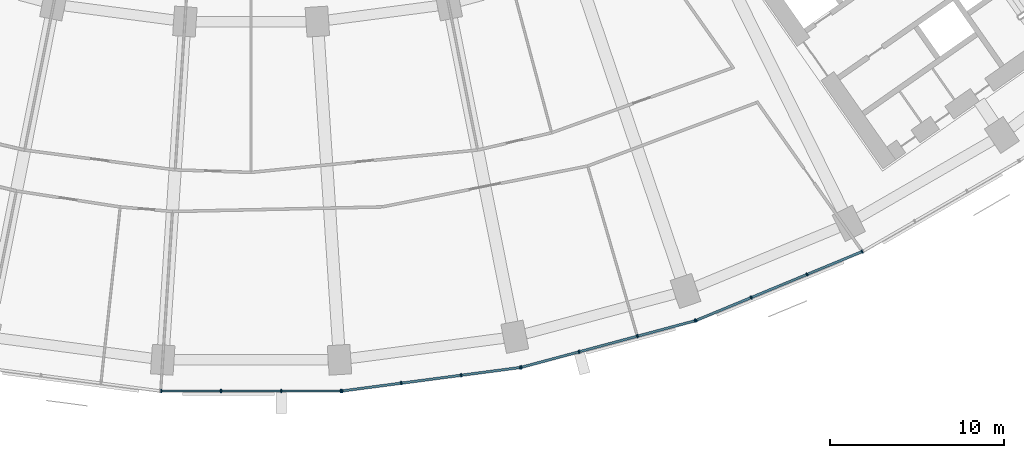
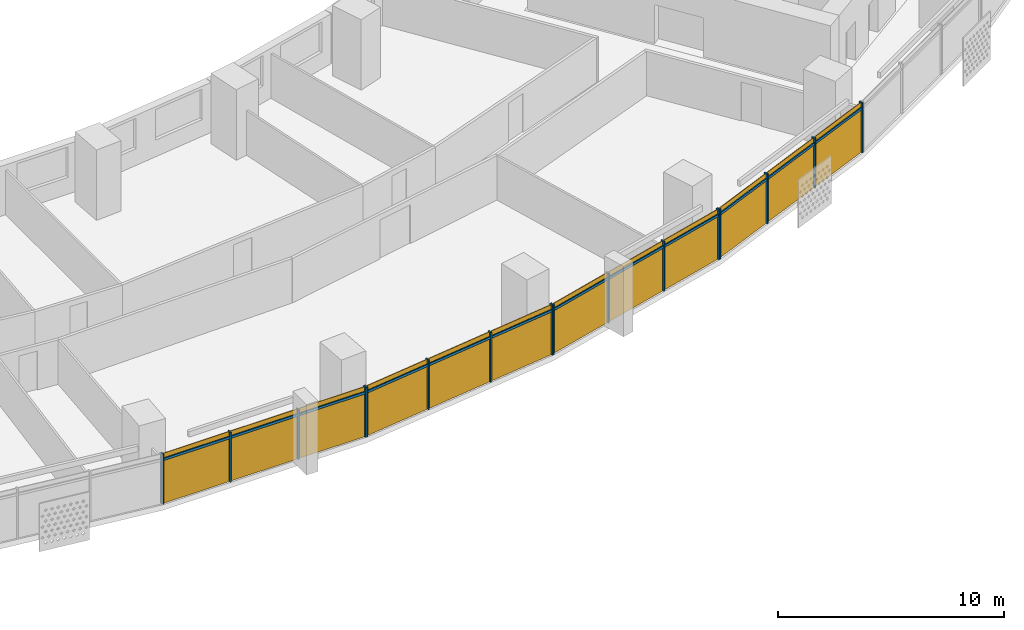
# One storey, part 21 of 29: 28 members, 4 curtain walls.
"""IFC4 building model written with IfcOpenShell, lengths in metres."""

from ifc_helpers import new_model, si_unit, direction, frame, origin, origin_2d, place, context, subcontext, project, spatial, rectangle, extrude, material, material_profile, profile_set, type_object, element, aggregate, save


model = new_model("IFC4")

# Units and contexts
model_context = context("Model", 3, precision=1e-05, world=origin(), true_north=direction((0.0, 1.0)))
body_context = subcontext(model_context, "Body", "Model", "MODEL_VIEW")
ifc_project = project(units=[si_unit("LENGTHUNIT", "METRE"), si_unit("AREAUNIT", "SQUARE_METRE"), si_unit("VOLUMEUNIT", "CUBIC_METRE"), si_unit("PLANEANGLEUNIT", "RADIAN"), si_unit("MASSUNIT", "GRAM", prefix="KILO")], contexts=[model_context])

# Member
ifc_material = material(Name="Aluminium 6063-T6 anodised", Category="aluminium")
ifc_material_profile_1 = material_profile(ifc_material, rectangle(XDim=0.199951171875, YDim=0.070068359375, at=origin_2d()))
ifc_profile_set_1 = profile_set([ifc_material_profile_1], Name="Aluminium 6063-T6 anodised")
member_type_1 = type_object("IfcMemberType", Name="Mullion 70 x 200 aluminium", PredefinedType="MULLION", material=ifc_profile_set_1)
site_placement = place(None, origin())
building_placement = place(site_placement, origin())
storey_placement = place(building_placement, frame((0.0, 0.0, 44.300048828125)))
member_1_placement = place(storey_placement, frame((-5.17431640625, -79.37939453125, 0.0), z_axis=(0.0, 0.0, 1.0), x_axis=(0.0, 1.0, 0.0)))
member_1 = element("IfcMember", 1, at=member_1_placement, type_object=member_type_1, Name="e-cw1-L07-out08/M00", PredefinedType="MULLION", context=body_context, shape_type="SweptSolid", body=[
    extrude(rectangle(XDim=0.199951171875, YDim=0.070068359375, at=origin_2d()), origin(), (0.0, 0.0, 1.0), 2.699951171875),
])

member_2_placement = place(storey_placement, frame((-1.736572265625, -79.37939453125, 0.0), z_axis=(0.0, 0.0, 1.0), x_axis=(0.0, 1.0, 0.0)))
member_2 = element("IfcMember", 2, at=member_2_placement, type_object=member_type_1, Name="e-cw1-L07-out08/M01", PredefinedType="MULLION", context=body_context, shape_type="SweptSolid", body=[
    extrude(rectangle(XDim=0.199951171875, YDim=0.070068359375, at=origin_2d()), origin(), (0.0, 0.0, 1.0), 2.699951171875),
])

member_3_placement = place(storey_placement, frame((1.736572265625, -79.37939453125, 0.0), z_axis=(0.0, 0.0, 1.0), x_axis=(0.0, 1.0, 0.0)))
member_3 = element("IfcMember", 3, at=member_3_placement, type_object=member_type_1, Name="e-cw1-L07-out08/M02", PredefinedType="MULLION", context=body_context, shape_type="SweptSolid", body=[
    extrude(rectangle(XDim=0.199951171875, YDim=0.070068359375, at=origin_2d()), origin(), (0.0, 0.0, 1.0), 2.699951171875),
])

member_4_placement = place(storey_placement, frame((5.17431640625, -79.37939453125, 0.0), z_axis=(0.0, 0.0, 1.0), x_axis=(0.0, 1.0, 0.0)))
member_4 = element("IfcMember", 4, at=member_4_placement, type_object=member_type_1, Name="e-cw1-L07-out08/M03", PredefinedType="MULLION", context=body_context, shape_type="SweptSolid", body=[
    extrude(rectangle(XDim=0.199951171875, YDim=0.070068359375, at=origin_2d()), origin(), (0.0, 0.0, 1.0), 2.699951171875),
])

member_5_placement = place(storey_placement, frame((5.23095703125, -79.375732421875, 0.0), z_axis=(0.0, 0.0, 1.0), x_axis=(-0.13052619222, 0.991444861374, 0.0)))
member_5 = element("IfcMember", 5, at=member_5_placement, type_object=member_type_1, Name="e-cw1-L07-out09/M00", PredefinedType="MULLION", context=body_context, shape_type="SweptSolid", body=[
    extrude(rectangle(XDim=0.199951171875, YDim=0.070068359375, at=origin_2d()), origin(), (0.0, 0.0, 1.0), 2.699951171875),
])

member_6_placement = place(storey_placement, frame((8.639404296875, -78.927001953125, 0.0), z_axis=(0.0, 0.0, 1.0), x_axis=(-0.13052619222, 0.991444861374, 0.0)))
member_6 = element("IfcMember", 6, at=member_6_placement, type_object=member_type_1, Name="e-cw1-L07-out09/M01", PredefinedType="MULLION", context=body_context, shape_type="SweptSolid", body=[
    extrude(rectangle(XDim=0.199951171875, YDim=0.070068359375, at=origin_2d()), origin(), (0.0, 0.0, 1.0), 2.699951171875),
])

member_7_placement = place(storey_placement, frame((12.082763671875, -78.4736328125, 0.0), z_axis=(0.0, 0.0, 1.0), x_axis=(-0.13052619222, 0.991444861374, 0.0)))
member_7 = element("IfcMember", 7, at=member_7_placement, type_object=member_type_1, Name="e-cw1-L07-out09/M02", PredefinedType="MULLION", context=body_context, shape_type="SweptSolid", body=[
    extrude(rectangle(XDim=0.199951171875, YDim=0.070068359375, at=origin_2d()), origin(), (0.0, 0.0, 1.0), 2.699951171875),
])

member_8_placement = place(storey_placement, frame((15.4912109375, -78.02490234375, 0.0), z_axis=(0.0, 0.0, 1.0), x_axis=(-0.13052619222, 0.991444861374, 0.0)))
member_8 = element("IfcMember", 8, at=member_8_placement, type_object=member_type_1, Name="e-cw1-L07-out09/M03", PredefinedType="MULLION", context=body_context, shape_type="SweptSolid", body=[
    extrude(rectangle(XDim=0.199951171875, YDim=0.070068359375, at=origin_2d()), origin(), (0.0, 0.0, 1.0), 2.699951171875),
])

member_9_placement = place(storey_placement, frame((15.546875, -78.013916015625, 0.0), z_axis=(0.0, 0.0, 1.0), x_axis=(-0.258819045103, 0.965925826289, 0.0)))
member_9 = element("IfcMember", 9, at=member_9_placement, type_object=member_type_1, Name="e-cw1-L07-out10/M00", PredefinedType="MULLION", context=body_context, shape_type="SweptSolid", body=[
    extrude(rectangle(XDim=0.199951171875, YDim=0.070068359375, at=origin_2d()), origin(), (0.0, 0.0, 1.0), 2.699951171875),
])

member_10_placement = place(storey_placement, frame((18.86767578125, -77.1240234375, 0.0), z_axis=(0.0, 0.0, 1.0), x_axis=(-0.258819045103, 0.965925826289, 0.0)))
member_10 = element("IfcMember", 10, at=member_10_placement, type_object=member_type_1, Name="e-cw1-L07-out10/M01", PredefinedType="MULLION", context=body_context, shape_type="SweptSolid", body=[
    extrude(rectangle(XDim=0.199951171875, YDim=0.070068359375, at=origin_2d()), origin(), (0.0, 0.0, 1.0), 2.699951171875),
])

member_11_placement = place(storey_placement, frame((22.22216796875, -76.225341796875, 0.0), z_axis=(0.0, 0.0, 1.0), x_axis=(-0.258819045103, 0.965925826289, 0.0)))
member_11 = element("IfcMember", 11, at=member_11_placement, type_object=member_type_1, Name="e-cw1-L07-out10/M02", PredefinedType="MULLION", context=body_context, shape_type="SweptSolid", body=[
    extrude(rectangle(XDim=0.199951171875, YDim=0.070068359375, at=origin_2d()), origin(), (0.0, 0.0, 1.0), 2.699951171875),
])

member_12_placement = place(storey_placement, frame((25.54296875, -75.33544921875, 0.0), z_axis=(0.0, 0.0, 1.0), x_axis=(-0.258819045103, 0.965925826289, 0.0)))
member_12 = element("IfcMember", 12, at=member_12_placement, type_object=member_type_1, Name="e-cw1-L07-out10/M03", PredefinedType="MULLION", context=body_context, shape_type="SweptSolid", body=[
    extrude(rectangle(XDim=0.199951171875, YDim=0.070068359375, at=origin_2d()), origin(), (0.0, 0.0, 1.0), 2.699951171875),
])

member_13_placement = place(storey_placement, frame((25.5966796875, -75.317138671875, 0.0), z_axis=(0.0, 0.0, 1.0), x_axis=(-0.382683432365, 0.923879532511, 0.0)))
member_13 = element("IfcMember", 13, at=member_13_placement, type_object=member_type_1, Name="e-cw1-L07-out11/M00", PredefinedType="MULLION", context=body_context, shape_type="SweptSolid", body=[
    extrude(rectangle(XDim=0.199951171875, YDim=0.070068359375, at=origin_2d()), origin(), (0.0, 0.0, 1.0), 2.699951171875),
])

member_14_placement = place(storey_placement, frame((28.77294921875, -74.00146484375, 0.0), z_axis=(0.0, 0.0, 1.0), x_axis=(-0.382683432365, 0.923879532511, 0.0)))
member_14 = element("IfcMember", 14, at=member_14_placement, type_object=member_type_1, Name="e-cw1-L07-out11/M01", PredefinedType="MULLION", context=body_context, shape_type="SweptSolid", body=[
    extrude(rectangle(XDim=0.199951171875, YDim=0.070068359375, at=origin_2d()), origin(), (0.0, 0.0, 1.0), 2.699951171875),
])

member_15_placement = place(storey_placement, frame((31.9814453125, -72.672607421875, 0.0), z_axis=(0.0, 0.0, 1.0), x_axis=(-0.382683432365, 0.923879532511, 0.0)))
member_15 = element("IfcMember", 15, at=member_15_placement, type_object=member_type_1, Name="e-cw1-L07-out11/M02", PredefinedType="MULLION", context=body_context, shape_type="SweptSolid", body=[
    extrude(rectangle(XDim=0.199951171875, YDim=0.070068359375, at=origin_2d()), origin(), (0.0, 0.0, 1.0), 2.699951171875),
])

member_16_placement = place(storey_placement, frame((35.15771484375, -71.35693359375, 0.0), z_axis=(0.0, 0.0, 1.0), x_axis=(-0.382683432365, 0.923879532511, 0.0)))
member_16 = element("IfcMember", 16, at=member_16_placement, type_object=member_type_1, Name="e-cw1-L07-out11/M03", PredefinedType="MULLION", context=body_context, shape_type="SweptSolid", body=[
    extrude(rectangle(XDim=0.199951171875, YDim=0.070068359375, at=origin_2d()), origin(), (0.0, 0.0, 1.0), 2.699951171875),
])

ifc_material_profile_2 = material_profile(ifc_material, rectangle(XDim=0.139892578125, YDim=0.1201171875, at=origin_2d()))
ifc_profile_set_2 = profile_set([ifc_material_profile_2], Name="Aluminium 6063-T6 anodised")
member_type_2 = type_object("IfcMemberType", Name="Transom 120 x 140 aluminium", PredefinedType="USERDEFINED", material=ifc_profile_set_2)
member_17_placement = place(storey_placement, frame((-5.139404296875, -79.37939453125, 2.39990234375), z_axis=(1.0, 0.0, 0.0), x_axis=(0.0, 1.0, 0.0)))
member_17 = element("IfcMember", 17, at=member_17_placement, type_object=member_type_2, Name="e-cw1-L07-out08/T00", ObjectType="TRANSOM", PredefinedType="USERDEFINED", context=body_context, shape_type="SweptSolid", body=[
    extrude(rectangle(XDim=0.139892578125, YDim=0.1201171875, at=origin_2d()), origin(), (0.0, 0.0, 1.0), 3.367919921875),
])

member_18_placement = place(storey_placement, frame((-1.701416015625, -79.37939453125, 2.39990234375), z_axis=(1.0, 0.0, 0.0), x_axis=(0.0, 1.0, 0.0)))
member_18 = element("IfcMember", 18, at=member_18_placement, type_object=member_type_2, Name="e-cw1-L07-out08/T01", ObjectType="TRANSOM", PredefinedType="USERDEFINED", context=body_context, shape_type="SweptSolid", body=[
    extrude(rectangle(XDim=0.139892578125, YDim=0.1201171875, at=origin_2d()), origin(), (0.0, 0.0, 1.0), 3.40283203125),
])

member_19_placement = place(storey_placement, frame((1.771484375, -79.37939453125, 2.39990234375), z_axis=(1.0, 0.0, 0.0), x_axis=(0.0, 1.0, 0.0)))
member_19 = element("IfcMember", 19, at=member_19_placement, type_object=member_type_2, Name="e-cw1-L07-out08/T02", ObjectType="TRANSOM", PredefinedType="USERDEFINED", context=body_context, shape_type="SweptSolid", body=[
    extrude(rectangle(XDim=0.139892578125, YDim=0.1201171875, at=origin_2d()), origin(), (0.0, 0.0, 1.0), 3.367919921875),
])

member_20_placement = place(storey_placement, frame((5.265625, -79.37109375, 2.39990234375), z_axis=(0.991450594138, 0.130482640159, 0.0), x_axis=(-0.130482640159, 0.991450594138, 0.0)))
member_20 = element("IfcMember", 20, at=member_20_placement, type_object=member_type_2, Name="e-cw1-L07-out09/T00", ObjectType="TRANSOM", PredefinedType="USERDEFINED", context=body_context, shape_type="SweptSolid", body=[
    extrude(rectangle(XDim=0.139892578125, YDim=0.1201171875, at=origin_2d()), origin(), (0.0, 0.0, 1.0), 3.367919921875),
])

member_21_placement = place(storey_placement, frame((8.67431640625, -78.92236328125, 2.39990234375), z_axis=(0.991447700941, 0.130504621753, 0.0), x_axis=(-0.130504621753, 0.991447700941, 0.0)))
member_21 = element("IfcMember", 21, at=member_21_placement, type_object=member_type_2, Name="e-cw1-L07-out09/T01", ObjectType="TRANSOM", PredefinedType="USERDEFINED", context=body_context, shape_type="SweptSolid", body=[
    extrude(rectangle(XDim=0.139892578125, YDim=0.1201171875, at=origin_2d()), origin(), (0.0, 0.0, 1.0), 3.40283203125),
])

member_22_placement = place(storey_placement, frame((12.117431640625, -78.46923828125, 2.39990234375), z_axis=(0.9914412138, 0.130553895303, 0.0), x_axis=(-0.130553895303, 0.9914412138, 0.0)))
member_22 = element("IfcMember", 22, at=member_22_placement, type_object=member_type_2, Name="e-cw1-L07-out09/T02", ObjectType="TRANSOM", PredefinedType="USERDEFINED", context=body_context, shape_type="SweptSolid", body=[
    extrude(rectangle(XDim=0.139892578125, YDim=0.1201171875, at=origin_2d()), origin(), (0.0, 0.0, 1.0), 3.367919921875),
])

member_23_placement = place(storey_placement, frame((15.58056640625, -78.0048828125, 2.39990234375), z_axis=(0.965915368772, 0.258858069935, 0.0), x_axis=(-0.258858069935, 0.965915368772, 0.0)))
member_23 = element("IfcMember", 23, at=member_23_placement, type_object=member_type_2, Name="e-cw1-L07-out10/T00", ObjectType="TRANSOM", PredefinedType="USERDEFINED", context=body_context, shape_type="SweptSolid", body=[
    extrude(rectangle(XDim=0.139892578125, YDim=0.1201171875, at=origin_2d()), origin(), (0.0, 0.0, 1.0), 3.367919921875),
])

member_24_placement = place(storey_placement, frame((18.9013671875, -77.114990234375, 2.39990234375), z_axis=(0.965937804901, 0.258774336176, 0.0), x_axis=(-0.258774336176, 0.965937804901, 0.0)))
member_24 = element("IfcMember", 24, at=member_24_placement, type_object=member_type_2, Name="e-cw1-L07-out10/T01", ObjectType="TRANSOM", PredefinedType="USERDEFINED", context=body_context, shape_type="SweptSolid", body=[
    extrude(rectangle(XDim=0.139892578125, YDim=0.1201171875, at=origin_2d()), origin(), (0.0, 0.0, 1.0), 3.403076171875),
])

member_25_placement = place(storey_placement, frame((22.256103515625, -76.21630859375, 2.39990234375), z_axis=(0.965915368772, 0.258858069935, 0.0), x_axis=(-0.258858069935, 0.965915368772, 0.0)))
member_25 = element("IfcMember", 25, at=member_25_placement, type_object=member_type_2, Name="e-cw1-L07-out10/T02", ObjectType="TRANSOM", PredefinedType="USERDEFINED", context=body_context, shape_type="SweptSolid", body=[
    extrude(rectangle(XDim=0.139892578125, YDim=0.1201171875, at=origin_2d()), origin(), (0.0, 0.0, 1.0), 3.367919921875),
])

member_26_placement = place(storey_placement, frame((25.629150390625, -75.3037109375, 2.39990234375), z_axis=(0.923872807855, 0.382699666719, 0.0), x_axis=(-0.382699666719, 0.923872807855, 0.0)))
member_26 = element("IfcMember", 26, at=member_26_placement, type_object=member_type_2, Name="e-cw1-L07-out11/T00", ObjectType="TRANSOM", PredefinedType="USERDEFINED", context=body_context, shape_type="SweptSolid", body=[
    extrude(rectangle(XDim=0.139892578125, YDim=0.1201171875, at=origin_2d()), origin(), (0.0, 0.0, 1.0), 3.36767578125),
])

member_27_placement = place(storey_placement, frame((28.80517578125, -73.98828125, 2.39990234375), z_axis=(0.92388567708, 0.382668597728, 0.0), x_axis=(-0.382668597728, 0.92388567708, 0.0)))
member_27 = element("IfcMember", 27, at=member_27_placement, type_object=member_type_2, Name="e-cw1-L07-out11/T01", ObjectType="TRANSOM", PredefinedType="USERDEFINED", context=body_context, shape_type="SweptSolid", body=[
    extrude(rectangle(XDim=0.139892578125, YDim=0.1201171875, at=origin_2d()), origin(), (0.0, 0.0, 1.0), 3.403076171875),
])

member_28_placement = place(storey_placement, frame((32.013916015625, -72.6591796875, 2.39990234375), z_axis=(0.923872807855, 0.382699666719, 0.0), x_axis=(-0.382699666719, 0.923872807855, 0.0)))
member_28 = element("IfcMember", 28, at=member_28_placement, type_object=member_type_2, Name="e-cw1-L07-out11/T02", ObjectType="TRANSOM", PredefinedType="USERDEFINED", context=body_context, shape_type="SweptSolid", body=[
    extrude(rectangle(XDim=0.139892578125, YDim=0.1201171875, at=origin_2d()), origin(), (0.0, 0.0, 1.0), 3.36767578125),
])

# Site, building, storey
site = spatial("IfcSite", under=ifc_project, at=site_placement, CompositionType="ELEMENT")
building = spatial("IfcBuilding", under=site, at=building_placement, Name="Qamariyya Broadcast Tower", CompositionType="ELEMENT")
storey = spatial("IfcBuildingStorey", under=building, at=storey_placement, Name="L07", CompositionType="ELEMENT", Elevation=44.300048828125)

# Curtain wall
curtain_wall_type = type_object("IfcCurtainWallType", Name="Unitised curtain wall, anodised aluminium", PredefinedType="NOTDEFINED", material=ifc_material)
curtain_wall_1_placement = place(storey_placement, origin())
curtain_wall_1 = element("IfcCurtainWall", 29, at=curtain_wall_1_placement, inside=storey, type_object=curtain_wall_type, Name="e-cw1-L07-out08", PredefinedType="NOTDEFINED", context=body_context, shape_type="SweptSolid", body=[
    extrude(rectangle(XDim=3.367919921875, YDim=0.031982421875, at=origin_2d()), frame((-3.45556640625, -79.37939453125, 0.0), x_axis=(1.0, 0.0, 0.0)), (0.0, 0.0, 1.0), 2.340087890625),
    extrude(rectangle(XDim=3.367919921875, YDim=0.031982421875, at=origin_2d()), frame((-3.45556640625, -79.37939453125, 2.4599609375), x_axis=(1.0, 0.0, 0.0)), (0.0, 0.0, 1.0), 0.239990234375),
    extrude(rectangle(XDim=3.403076171875, YDim=0.031982421875, at=origin_2d()), frame((0.0, -79.37939453125, 0.0), x_axis=(1.0, 0.0, 0.0)), (0.0, 0.0, 1.0), 2.340087890625),
    extrude(rectangle(XDim=3.403076171875, YDim=0.031982421875, at=origin_2d()), frame((0.0, -79.37939453125, 2.4599609375), x_axis=(1.0, 0.0, 0.0)), (0.0, 0.0, 1.0), 0.239990234375),
    extrude(rectangle(XDim=3.367919921875, YDim=0.031982421875, at=origin_2d()), frame((3.45556640625, -79.37939453125, 0.0), x_axis=(1.0, 0.0, 0.0)), (0.0, 0.0, 1.0), 2.340087890625),
    extrude(rectangle(XDim=3.367919921875, YDim=0.031982421875, at=origin_2d()), frame((3.45556640625, -79.37939453125, 2.4599609375), x_axis=(1.0, 0.0, 0.0)), (0.0, 0.0, 1.0), 0.239990234375),
])

aggregate(curtain_wall_1, [member_1, member_2, member_3, member_4, member_17, member_18, member_19])

curtain_wall_2_placement = place(storey_placement, origin())
curtain_wall_2 = element("IfcCurtainWall", 30, at=curtain_wall_2_placement, inside=storey, type_object=curtain_wall_type, Name="e-cw1-L07-out09", PredefinedType="NOTDEFINED", context=body_context, shape_type="SweptSolid", body=[
    extrude(rectangle(XDim=3.367919921875, YDim=0.031982421875, at=origin_2d()), frame((6.935302734375, -79.1513671875, 0.0), x_axis=(0.991445519925, 0.130521189931, 0.0)), (0.0, 0.0, 1.0), 2.340087890625),
    extrude(rectangle(XDim=3.367919921875, YDim=0.031982421875, at=origin_2d()), frame((6.935302734375, -79.1513671875, 2.4599609375), x_axis=(0.991445519925, 0.130521189931, 0.0)), (0.0, 0.0, 1.0), 0.239990234375),
    extrude(rectangle(XDim=3.40283203125, YDim=0.031982421875, at=origin_2d()), frame((10.361083984375, -78.700439453125, 0.0), x_axis=(0.991445519925, 0.130521189931, 0.0)), (0.0, 0.0, 1.0), 2.340087890625),
    extrude(rectangle(XDim=3.40283203125, YDim=0.031982421875, at=origin_2d()), frame((10.361083984375, -78.700439453125, 2.4599609375), x_axis=(0.991445519925, 0.130521189931, 0.0)), (0.0, 0.0, 1.0), 0.239990234375),
    extrude(rectangle(XDim=3.367919921875, YDim=0.031982421875, at=origin_2d()), frame((13.786865234375, -78.24951171875, 0.0), x_axis=(0.991445519925, 0.130521189931, 0.0)), (0.0, 0.0, 1.0), 2.340087890625),
    extrude(rectangle(XDim=3.367919921875, YDim=0.031982421875, at=origin_2d()), frame((13.786865234375, -78.24951171875, 2.4599609375), x_axis=(0.991445519925, 0.130521189931, 0.0)), (0.0, 0.0, 1.0), 0.239990234375),
])

aggregate(curtain_wall_2, [member_5, member_6, member_7, member_8, member_20, member_21, member_22])

curtain_wall_3_placement = place(storey_placement, origin())
curtain_wall_3 = element("IfcCurtainWall", 31, at=curtain_wall_3_placement, inside=storey, type_object=curtain_wall_type, Name="e-cw1-L07-out10", PredefinedType="NOTDEFINED", context=body_context, shape_type="SweptSolid", body=[
    extrude(rectangle(XDim=3.367919921875, YDim=0.031982421875, at=origin_2d()), frame((17.207275390625, -77.569091796875, 0.0), x_axis=(0.965925039578, 0.258821981129, 0.0)), (0.0, 0.0, 1.0), 2.340087890625),
    extrude(rectangle(XDim=3.367919921875, YDim=0.031982421875, at=origin_2d()), frame((17.207275390625, -77.569091796875, 2.4599609375), x_axis=(0.965925039578, 0.258821981129, 0.0)), (0.0, 0.0, 1.0), 0.239990234375),
    extrude(rectangle(XDim=3.40283203125, YDim=0.031982421875, at=origin_2d()), frame((20.544921875, -76.6748046875, 0.0), x_axis=(0.965925039578, 0.258821981129, 0.0)), (0.0, 0.0, 1.0), 2.340087890625),
    extrude(rectangle(XDim=3.40283203125, YDim=0.031982421875, at=origin_2d()), frame((20.544921875, -76.6748046875, 2.4599609375), x_axis=(0.965925039578, 0.258821981129, 0.0)), (0.0, 0.0, 1.0), 0.239990234375),
    extrude(rectangle(XDim=3.367919921875, YDim=0.031982421875, at=origin_2d()), frame((23.882568359375, -75.7802734375, 0.0), x_axis=(0.965925039578, 0.258821981129, 0.0)), (0.0, 0.0, 1.0), 2.340087890625),
    extrude(rectangle(XDim=3.367919921875, YDim=0.031982421875, at=origin_2d()), frame((23.882568359375, -75.7802734375, 2.4599609375), x_axis=(0.965925039578, 0.258821981129, 0.0)), (0.0, 0.0, 1.0), 0.239990234375),
])

aggregate(curtain_wall_3, [member_9, member_10, member_11, member_12, member_23, member_24, member_25])

curtain_wall_4_placement = place(storey_placement, origin())
curtain_wall_4 = element("IfcCurtainWall", 32, at=curtain_wall_4_placement, inside=storey, type_object=curtain_wall_type, Name="e-cw1-L07-out11", PredefinedType="NOTDEFINED", context=body_context, shape_type="SweptSolid", body=[
    extrude(rectangle(XDim=3.367919921875, YDim=0.031982421875, at=origin_2d()), frame((27.184814453125, -74.659423828125, 0.0), x_axis=(0.92387774222, 0.382687754482, 0.0)), (0.0, 0.0, 1.0), 2.340087890625),
    extrude(rectangle(XDim=3.367919921875, YDim=0.031982421875, at=origin_2d()), frame((27.184814453125, -74.659423828125, 2.4599609375), x_axis=(0.92387774222, 0.382687754482, 0.0)), (0.0, 0.0, 1.0), 0.239990234375),
    extrude(rectangle(XDim=3.40283203125, YDim=0.031982421875, at=origin_2d()), frame((30.377197265625, -73.3369140625, 0.0), x_axis=(0.92387774222, 0.382687754482, 0.0)), (0.0, 0.0, 1.0), 2.340087890625),
    extrude(rectangle(XDim=3.40283203125, YDim=0.031982421875, at=origin_2d()), frame((30.377197265625, -73.3369140625, 2.4599609375), x_axis=(0.92387774222, 0.382687754482, 0.0)), (0.0, 0.0, 1.0), 0.239990234375),
    extrude(rectangle(XDim=3.367919921875, YDim=0.031982421875, at=origin_2d()), frame((33.569580078125, -72.0146484375, 0.0), x_axis=(0.92387774222, 0.382687754482, 0.0)), (0.0, 0.0, 1.0), 2.340087890625),
    extrude(rectangle(XDim=3.367919921875, YDim=0.031982421875, at=origin_2d()), frame((33.569580078125, -72.0146484375, 2.4599609375), x_axis=(0.92387774222, 0.382687754482, 0.0)), (0.0, 0.0, 1.0), 0.239990234375),
])

aggregate(curtain_wall_4, [member_13, member_14, member_15, member_16, member_26, member_27, member_28])

save(model, "model.ifc")
